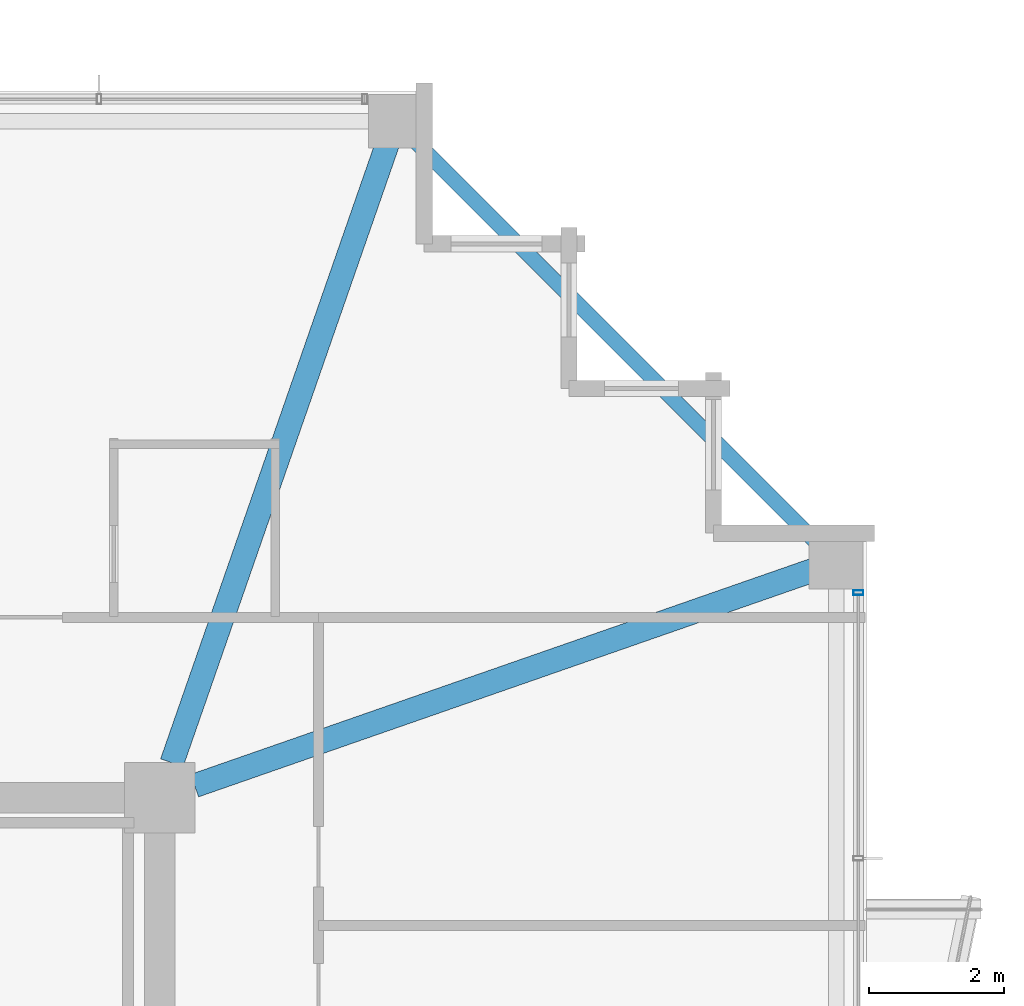
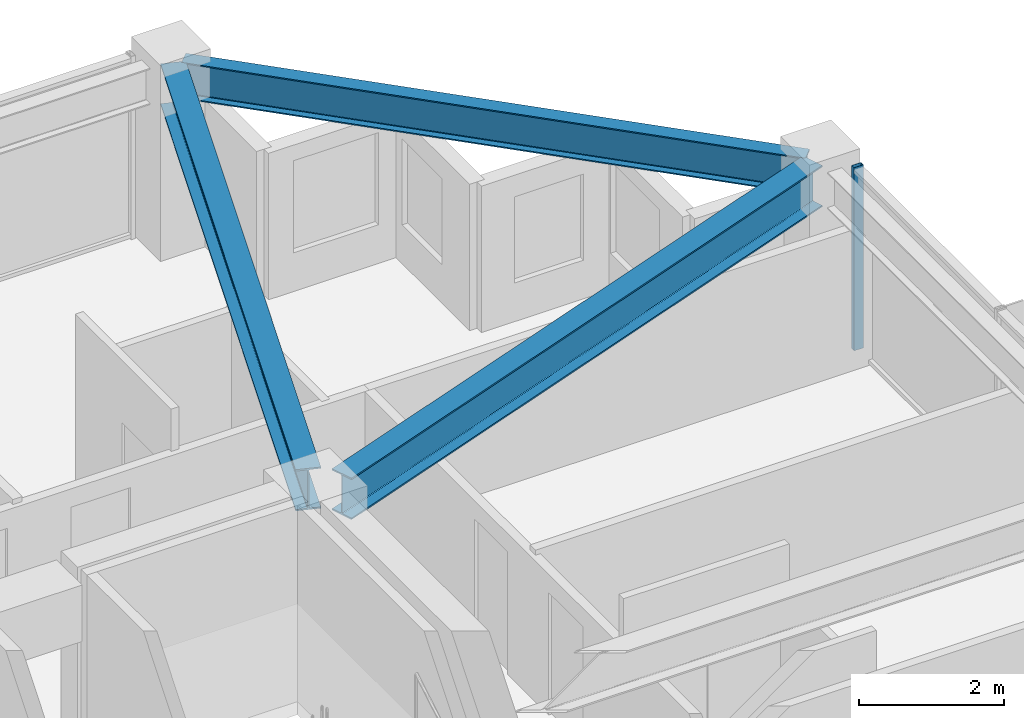
# One storey, part 20 of 35: 3 beams, 1 member, 1 element without a shape of its own.
"""IFC4 building model written with IfcOpenShell, lengths in metres."""

from ifc_helpers import new_model, si_unit, direction, frame, origin, origin_2d, place, context, subcontext, project, spatial, hollow_rectangle, i_section, extrude, material, material_profile, profile_set, type_object, element, aggregate, save


model = new_model("IFC4")

# Units and contexts
model_context = context("Model", 3, precision=1e-05, world=origin(), true_north=direction((0.0, 1.0)))
body_context = subcontext(model_context, "Body", "Model", "MODEL_VIEW")
ifc_project = project(units=[si_unit("LENGTHUNIT", "METRE"), si_unit("AREAUNIT", "SQUARE_METRE"), si_unit("VOLUMEUNIT", "CUBIC_METRE"), si_unit("PLANEANGLEUNIT", "RADIAN"), si_unit("MASSUNIT", "GRAM", prefix="KILO")], contexts=[model_context])

# Site, building, storey
site_placement = place(None, origin())
site = spatial("IfcSite", under=ifc_project, at=site_placement, CompositionType="ELEMENT")
building_placement = place(site_placement, origin())
building = spatial("IfcBuilding", under=site, at=building_placement, Name="Kolvaren Belvedere", CompositionType="ELEMENT")
storey_placement = place(building_placement, frame((0.0, 0.0, 216.300048828125)))
storey = spatial("IfcBuildingStorey", under=building, at=storey_placement, Name="L63", CompositionType="ELEMENT", Elevation=216.300048828125)

# Beams
ifc_material_1 = material(Name="Structural steel ASTM A992 Grade 50", Category="steel")
ifc_material_profile_1 = material_profile(ifc_material_1, i_section(OverallWidth=0.35498046875, OverallDepth=0.696044921875, WebThickness=0.015380859375, FlangeThickness=0.02490234375, FilletRadius=0.02197265625, at=origin_2d()), Name="W27X146")
ifc_profile_set_1 = profile_set([ifc_material_profile_1], Name="Structural steel ASTM A992 Grade 50")
beam_type_1 = type_object("IfcBeamType", Name="BM-GIRD-W27X146", PredefinedType="BEAM", material=ifc_profile_set_1)
for number, where, z_axis, x_axis, name in (
    (1, (10.080810546875, 10.41943359375, 2.73193359375), (0.328898147971, 0.944365399758, 0.0), (-0.944365399758, 0.328898147971, 0.0), "L63 Corner Core-to-Perimeter Girder CC3-N4"),
    (2, (10.41943359375, 10.080810546875, 2.73193359375), (0.944365399758, 0.328898147971, 0.0), (-0.328898147971, 0.944365399758, 0.0), "L63 Corner Core-to-Perimeter Girder CC3-E4"),
):
    element("IfcBeam", number, at=place(storey_placement, frame(where, z_axis=z_axis, x_axis=x_axis)), inside=storey, type_object=beam_type_1, Name=name, PredefinedType="BEAM", context=body_context, shape_type="SweptSolid", body=[
        extrude(i_section(OverallWidth=0.35498046875, OverallDepth=0.696044921875, WebThickness=0.015380859375, FlangeThickness=0.02490234375, FilletRadius=0.02197265625, at=origin_2d()), origin(), (0.0, 0.0, 1.0), 9.931884765625),
    ])
ifc_material_2 = material(Name="Structural steel ASTM A992 Grade 50", Category="steel")
ifc_material_profile_2 = material_profile(ifc_material_2, i_section(OverallWidth=0.22900390625, OverallDepth=0.612060546875, WebThickness=0.011962890625, FlangeThickness=0.01953125, FilletRadius=0.01806640625, at=origin_2d()), Name="W24X84")
ifc_profile_set_2 = profile_set([ifc_material_profile_2], Name="Structural steel ASTM A992 Grade 50")
beam_type_2 = type_object("IfcBeamType", Name="BM-SPAN-W24X84", PredefinedType="SPANDREL", material=ifc_profile_set_2)
beam_placement = place(storey_placement, frame((19.82275390625, 13.52734375, 2.77392578125), z_axis=(-0.707106781187, 0.707106781187, 0.0), x_axis=(-0.707106781187, -0.707106781187, 0.0)))
element("IfcBeam", 3, at=beam_placement, inside=storey, type_object=beam_type_2, Name="L63 Perimeter Spandrel E4-N4", PredefinedType="SPANDREL", context=body_context, shape_type="SweptSolid", body=[
    extrude(i_section(OverallWidth=0.22900390625, OverallDepth=0.612060546875, WebThickness=0.011962890625, FlangeThickness=0.01953125, FilletRadius=0.01806640625, at=origin_2d()), origin(), (0.0, 0.0, 1.0), 8.903076171875),
])

# Curtain wall, member
ifc_material_3 = material(Name="Anodised pale-metal aluminium AA 6063-T6", Category="aluminium")
curtain_wall_type = type_object("IfcCurtainWallType", Name="CW-Z5-HIGH", PredefinedType="NOTDEFINED", material=ifc_material_3)
curtain_wall_placement = place(storey_placement, origin())
curtain_wall = element("IfcCurtainWall", 4, at=curtain_wall_placement, inside=storey, type_object=curtain_wall_type, Name="L63 Unitised Curtain Wall FCW-L63-E1-B1", PredefinedType="NOTDEFINED")
ifc_material_4 = material(Name="Anodised pale-metal aluminium AA 6063-T6", Category="aluminium")
ifc_material_profile_3 = material_profile(ifc_material_4, hollow_rectangle(XDim=0.070068359375, YDim=0.14990234375, WallThickness=0.004150390625, at=origin_2d()), Name="ALU-MUL-150X70")
ifc_profile_set_3 = profile_set([ifc_material_profile_3], Name="Anodised pale-metal aluminium AA 6063-T6")
member_type = type_object("IfcMemberType", Name="CW-MUL-150", PredefinedType="MULLION", material=ifc_profile_set_3)
member_placement = place(storey_placement, frame((20.280029296875, 12.945068359375, 0.0), z_axis=(0.0, 0.0, 1.0), x_axis=(0.0, 1.0, 0.0)))
member = element("IfcMember", 5, at=member_placement, type_object=member_type, Name="FCW-L63-E1-B1 Unitised Mullion 1", PredefinedType="MULLION", context=body_context, shape_type="SweptSolid", body=[
    extrude(hollow_rectangle(XDim=0.070068359375, YDim=0.14990234375, WallThickness=0.004150390625, at=origin_2d()), origin(), (0.0, 0.0, 1.0), 3.079833984375),
])
aggregate(curtain_wall, [member])

save(model, "model.ifc")
